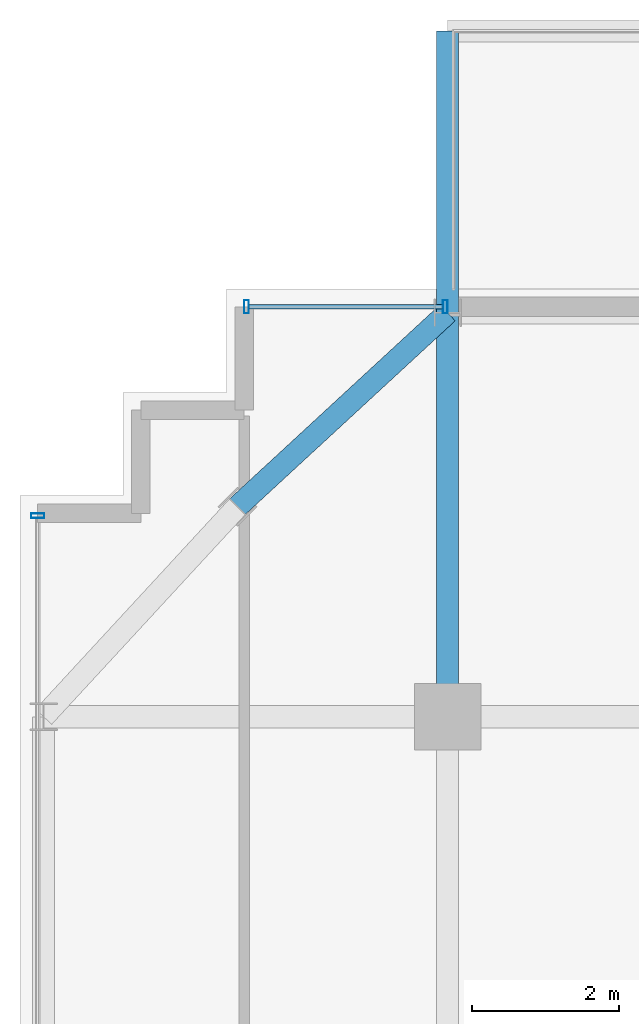
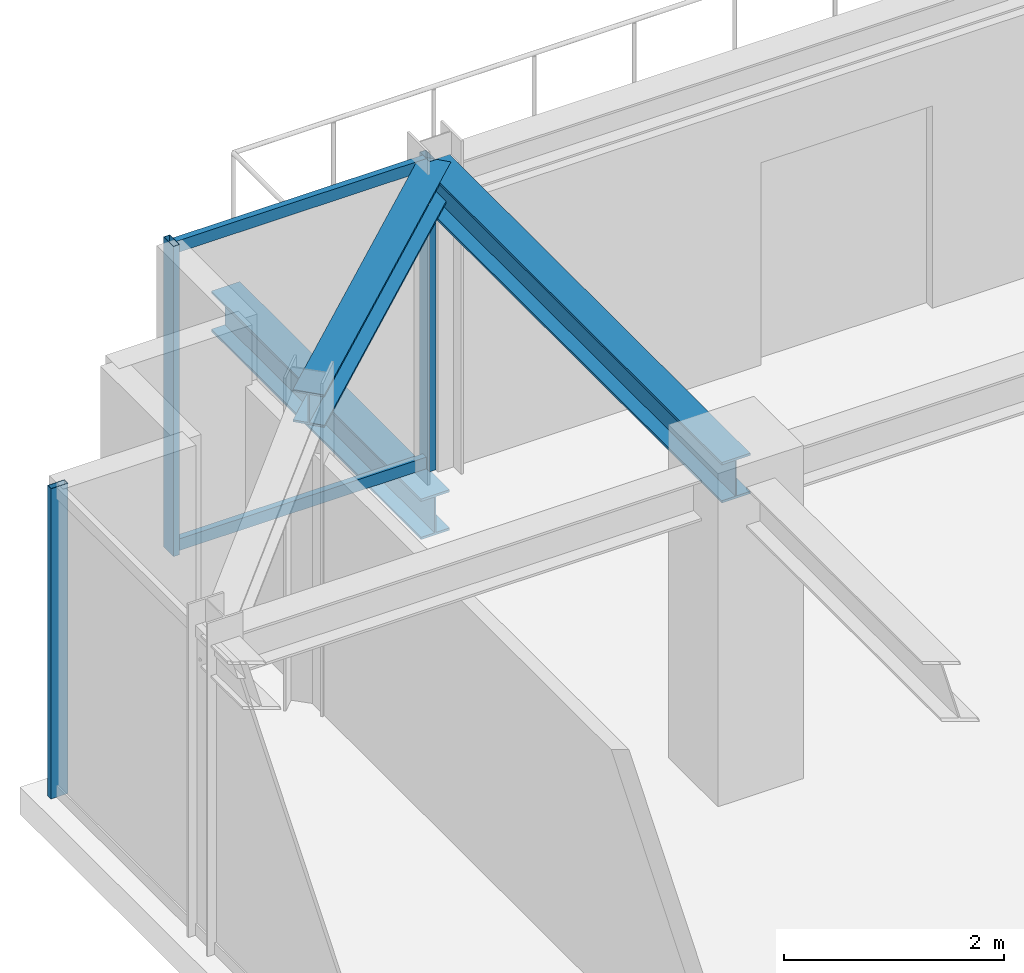
# One storey, part 17 of 31: 5 members, 3 beams, 2 elements without a shape of their own.
"""IFC4 building model written with IfcOpenShell, lengths in metres."""

from ifc_helpers import new_model, si_unit, direction, frame, origin, origin_2d, place, context, subcontext, project, spatial, hollow_rectangle, i_section, extrude, source, transform, mapped, material, material_profile, profile_set, type_object, element, aggregate, save


model = new_model("IFC4")

# Units and contexts
model_context = context("Model", 3, precision=1e-05, world=origin(), true_north=direction((0.0, 1.0)))
body_context = subcontext(model_context, "Body", "Model", "MODEL_VIEW")
ifc_project = project(units=[si_unit("LENGTHUNIT", "METRE"), si_unit("AREAUNIT", "SQUARE_METRE"), si_unit("VOLUMEUNIT", "CUBIC_METRE"), si_unit("PLANEANGLEUNIT", "RADIAN"), si_unit("MASSUNIT", "GRAM", prefix="KILO")], contexts=[model_context])

# Site, building, storey
site_placement = place(None, origin())
site = spatial("IfcSite", under=ifc_project, at=site_placement, CompositionType="ELEMENT")
building_placement = place(site_placement, origin())
building = spatial("IfcBuilding", under=site, at=building_placement, Name="Nahalor Promenade Grand Hotel", CompositionType="ELEMENT")
storey_placement = place(building_placement, frame((0.0, 0.0, 281.300048828125)))
storey = spatial("IfcBuildingStorey", under=building, at=storey_placement, Name="L72", CompositionType="ELEMENT", Elevation=281.300048828125)

# Beams
ifc_material_1 = material(Name="Steel S355JR", Category="steel")
ifc_material_profile_1 = material_profile(ifc_material_1, i_section(OverallWidth=0.3, OverallDepth=0.45, WebThickness=0.014, FlangeThickness=0.026, at=origin_2d()), Name="HEB 450")
ifc_profile_set_1 = profile_set([ifc_material_profile_1], Name="Steel S355JR")
beam_type_1 = type_object("IfcBeamType", Name="Beam-Outrigger-HEB450", PredefinedType="BEAM", material=ifc_profile_set_1)
shared_shape_1 = source(origin(), body_context, "Body", "SweptSolid", [
    extrude(i_section(OverallWidth=0.3, OverallDepth=0.45, WebThickness=0.014, FlangeThickness=0.026, at=origin_2d()), origin(), (0.0, 0.0, 1.0), 3.820068359375),
])
beam_1_placement = place(storey_placement, frame((-17.0, 22.47998046875, -0.505126953125), z_axis=(0.0, 1.0, 0.0), x_axis=(-1.0, 0.0, 0.0)))
element("IfcBeam", 1, at=beam_1_placement, inside=storey, type_object=beam_type_1, Name="BM-L72-BC-01-1", PredefinedType="BEAM", context=body_context, shape_type="MappedRepresentation", body=[
    mapped(shared_shape_1, transform((0.0, 0.0, 0.0), scale=1.0)),
])
ifc_material_profile_2 = material_profile(ifc_material_1, i_section(OverallWidth=0.3, OverallDepth=0.45, WebThickness=0.014, FlangeThickness=0.026, at=origin_2d()), Name="HEB 450")
ifc_profile_set_2 = profile_set([ifc_material_profile_2], Name="Steel S355JR")
beam_type_2 = type_object("IfcBeamType", Name="Beam-Girder-HEB450", PredefinedType="BEAM", material=ifc_profile_set_2)
shared_shape_2 = source(origin(), body_context, "Body", "SweptSolid", [
    extrude(i_section(OverallWidth=0.3, OverallDepth=0.45, WebThickness=0.014, FlangeThickness=0.026, at=origin_2d()), origin(), (0.0, 0.0, 1.0), 5.47998046875),
])
beam_2_placement = place(storey_placement, frame((-17.0, 17.0, 3.224853515625), z_axis=(0.0, 1.0, 0.0), x_axis=(-1.0, 0.0, 0.0)))
element("IfcBeam", 2, at=beam_2_placement, inside=storey, type_object=beam_type_2, Name="BM-L72-GY-0-4", PredefinedType="BEAM", context=body_context, shape_type="MappedRepresentation", body=[
    mapped(shared_shape_2, transform((0.0, 0.0, 0.0), scale=1.0)),
])
ifc_material_profile_3 = material_profile(ifc_material_1, i_section(OverallWidth=0.3, OverallDepth=0.36, WebThickness=0.0125, FlangeThickness=0.0225, at=origin_2d()), Name="HEB 360")
ifc_profile_set_3 = profile_set([ifc_material_profile_3], Name="Steel S355JR")
beam_type_3 = type_object("IfcBeamType", Name="Beam-Spandrel-HEB360", PredefinedType="SPANDREL", material=ifc_profile_set_3)
shared_shape_3 = source(origin(), body_context, "Body", "SweptSolid", [
    extrude(i_section(OverallWidth=0.3, OverallDepth=0.36, WebThickness=0.0125, FlangeThickness=0.0225, at=origin_2d()), origin(), (0.0, 0.0, 1.0), 3.878173828125),
])
beam_3_placement = place(storey_placement, frame((-17.0, 22.47998046875, 3.27001953125), z_axis=(-0.73492893846, -0.678144125843, 0.0), x_axis=(0.678144125843, -0.73492893846, 0.0)))
element("IfcBeam", 3, at=beam_3_placement, inside=storey, type_object=beam_type_3, Name="BM-L72-SPC-NW-1", PredefinedType="SPANDREL", context=body_context, shape_type="MappedRepresentation", body=[
    mapped(shared_shape_3, transform((0.0, 0.0, 0.0), scale=1.0)),
])

# Curtain wall, members
ifc_material_2 = material(Name="Anodised Bronze Aluminium EN AW-6063 T6", Category="aluminium")
curtain_wall_type = type_object("IfcCurtainWallType", Name="CW2 Typical Hotel Flush Bronze Unitised Curtain Wall", PredefinedType="USERDEFINED", material=ifc_material_2)
curtain_wall_1_placement = place(storey_placement, origin())
curtain_wall_1 = element("IfcCurtainWall", 4, at=curtain_wall_1_placement, inside=storey, type_object=curtain_wall_type, Name="L72 Curtain Wall CW-L72-N-1", ObjectType="UNITISED_CURTAIN_WALL", PredefinedType="USERDEFINED")
ifc_material_profile_4 = material_profile(ifc_material_2, hollow_rectangle(XDim=0.065, YDim=0.13, WallThickness=0.004, at=origin_2d()), Name="CWT 65x130x4")
ifc_profile_set_4 = profile_set([ifc_material_profile_4], Name="Anodised Bronze Aluminium EN AW-6063 T6")
member_type_1 = type_object("IfcMemberType", Name="CWT2 Typical Bronze Transom 65x130", PredefinedType="USERDEFINED", material=ifc_profile_set_4)
shared_shape_4 = source(origin(), body_context, "Body", "SweptSolid", [
    extrude(hollow_rectangle(XDim=0.065, YDim=0.13, WallThickness=0.004, at=origin_2d()), origin(), (0.0, 0.0, 1.0), 2.630126953125),
])
member_1_placement = place(storey_placement, frame((-19.695068359375, 22.56005859375, 0.06494140625), z_axis=(1.0, 0.0, 0.0), x_axis=(0.0, 1.0, 0.0)))
member_1 = element("IfcMember", 5, at=member_1_placement, type_object=member_type_1, Name="CW-L72-N-1 Transom 0-0", ObjectType="TRANSOM", PredefinedType="USERDEFINED", context=body_context, shape_type="MappedRepresentation", body=[
    mapped(shared_shape_4, transform((0.0, 0.0, 0.0), scale=1.0)),
])
member_2_placement = place(storey_placement, frame((-19.695068359375, 22.56005859375, 3.385009765625), z_axis=(1.0, 0.0, 0.0), x_axis=(0.0, 1.0, 0.0)))
member_2 = element("IfcMember", 6, at=member_2_placement, type_object=member_type_1, Name="CW-L72-N-1 Transom 0-1", ObjectType="TRANSOM", PredefinedType="USERDEFINED", context=body_context, shape_type="MappedRepresentation", body=[
    mapped(shared_shape_4, transform((0.0, 0.0, 0.0), scale=1.0)),
])
ifc_material_profile_5 = material_profile(ifc_material_2, hollow_rectangle(XDim=0.065, YDim=0.18, WallThickness=0.004, at=origin_2d()), Name="CWM 65x180x4")
ifc_profile_set_5 = profile_set([ifc_material_profile_5], Name="Anodised Bronze Aluminium EN AW-6063 T6")
member_type_2 = type_object("IfcMemberType", Name="CWM2 Typical Bronze Mullion 65x180", PredefinedType="MULLION", material=ifc_profile_set_5)
shared_shape_5 = source(origin(), body_context, "Body", "SweptSolid", [
    extrude(hollow_rectangle(XDim=0.065, YDim=0.18, WallThickness=0.004, at=origin_2d()), origin(), (0.0, 0.0, 1.0), 3.449951171875),
])
member_3_placement = place(storey_placement, frame((-19.7275390625, 22.56005859375, 0.0), z_axis=(0.0, 0.0, 1.0), x_axis=(1.0, 0.0, 0.0)))
member_3 = element("IfcMember", 7, at=member_3_placement, type_object=member_type_2, Name="CW-L72-N-1 Mullion 0", PredefinedType="MULLION", context=body_context, shape_type="MappedRepresentation", body=[
    mapped(shared_shape_5, transform((0.0, 0.0, 0.0), scale=1.0)),
])
member_4_placement = place(storey_placement, frame((-17.032470703125, 22.56005859375, 0.0), z_axis=(0.0, 0.0, 1.0), x_axis=(1.0, 0.0, 0.0)))
member_4 = element("IfcMember", 8, at=member_4_placement, type_object=member_type_2, Name="CW-L72-N-1 Mullion 1", PredefinedType="MULLION", context=body_context, shape_type="MappedRepresentation", body=[
    mapped(shared_shape_5, transform((0.0, 0.0, 0.0), scale=1.0)),
])
aggregate(curtain_wall_1, [member_3, member_4, member_1, member_2])

# Curtain wall, member
curtain_wall_2_placement = place(storey_placement, origin())
curtain_wall_2 = element("IfcCurtainWall", 9, at=curtain_wall_2_placement, inside=storey, type_object=curtain_wall_type, Name="L72 Curtain Wall CW-L72-W-1", ObjectType="UNITISED_CURTAIN_WALL", PredefinedType="USERDEFINED")
member_5_placement = place(storey_placement, frame((-22.56005859375, 19.7275390625, 0.0), z_axis=(0.0, 0.0, 1.0), x_axis=(0.0, 1.0, 0.0)))
member_5 = element("IfcMember", 10, at=member_5_placement, type_object=member_type_2, Name="CW-L72-W-1 Mullion 3", PredefinedType="MULLION", context=body_context, shape_type="MappedRepresentation", body=[
    mapped(shared_shape_5, transform((0.0, 0.0, 0.0), scale=1.0)),
])
aggregate(curtain_wall_2, [member_5])

save(model, "model.ifc")
